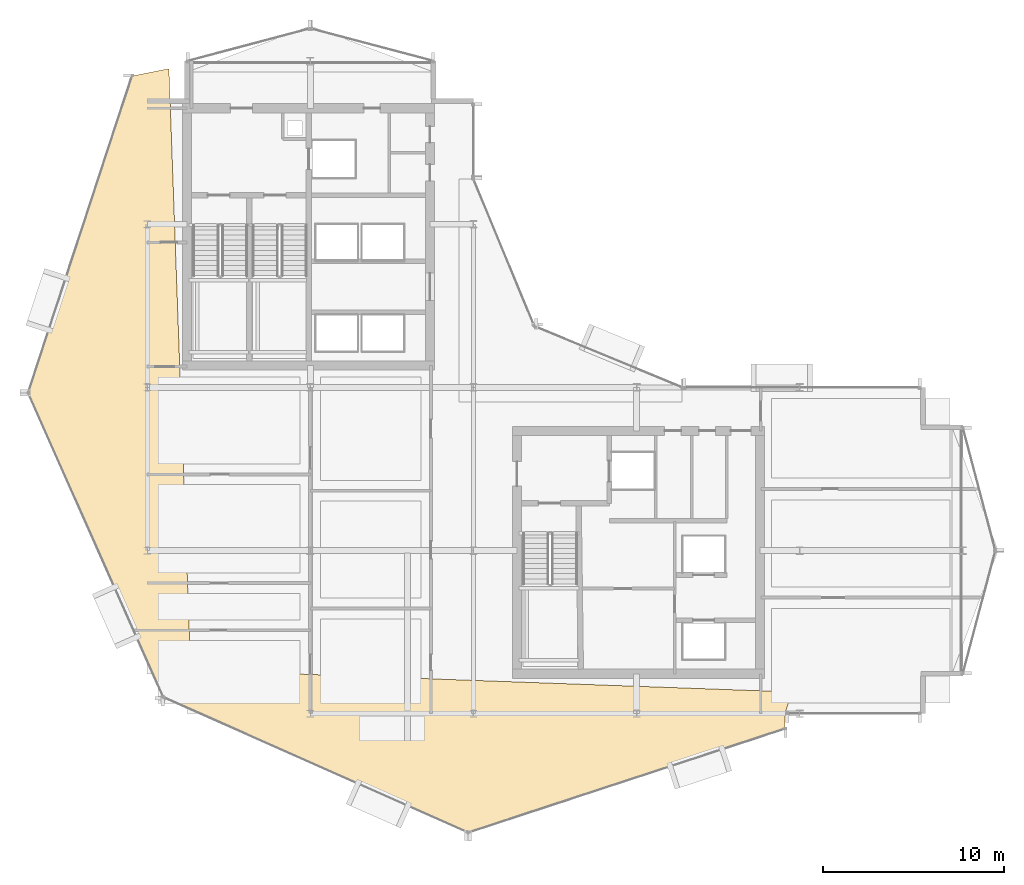
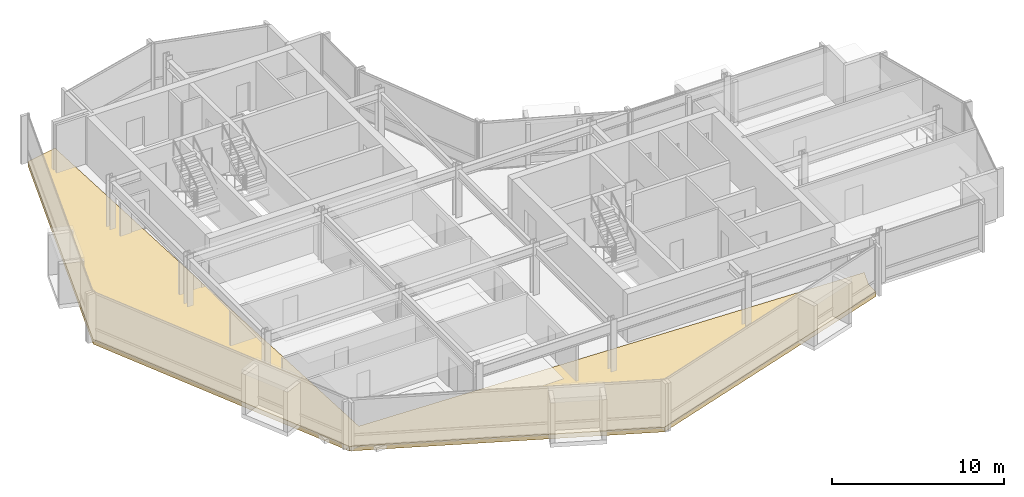
# One storey, part 24 of 27: 1 covering.
"""IFC4 building model written with IfcOpenShell, lengths in metres."""

from ifc_helpers import new_model, si_unit, direction, frame, origin, place, context, subcontext, project, spatial, polyline, outline, extrude, material, layer, layer_set, type_object, element, save


model = new_model("IFC4")

# Units and contexts
model_context = context("Model", 3, precision=1e-05, world=origin(), true_north=direction((0.0, 1.0)))
body_context = subcontext(model_context, "Body", "Model", "MODEL_VIEW")
ifc_project = project(units=[si_unit("LENGTHUNIT", "METRE"), si_unit("AREAUNIT", "SQUARE_METRE"), si_unit("VOLUMEUNIT", "CUBIC_METRE"), si_unit("PLANEANGLEUNIT", "RADIAN"), si_unit("MASSUNIT", "GRAM", prefix="KILO")], contexts=[model_context])

# Site, building, storey
site_placement = place(None, origin())
site = spatial("IfcSite", under=ifc_project, at=site_placement, CompositionType="ELEMENT")
building_placement = place(site_placement, origin())
building = spatial("IfcBuilding", under=site, at=building_placement, Name="Solvaryn Broadcast Tower", CompositionType="ELEMENT")
storey_placement = place(building_placement, frame((0.0, 0.0, 174.199951171875)))
storey = spatial("IfcBuildingStorey", under=building, at=storey_placement, Name="L43", CompositionType="ELEMENT", Elevation=174.199951171875)

# Covering
ifc_material = material(Name="Sculpted Architectural Terracotta Wave Fascia", Category="masonry")
ifc_layer = layer(ifc_material, 0.340087890625)
ifc_layer_set = layer_set([ifc_layer], Name="CV-WAVE-TRAY")
covering_type = type_object("IfcCoveringType", Name="CV-WAVE-TRAY", PredefinedType="CLADDING", material=ifc_layer_set)
covering_placement = place(storey_placement, frame((0.0, 0.0, -0.300048828125)))
element("IfcCovering", 1, at=covering_placement, inside=storey, type_object=covering_type, Name="L43 Stepped Cylindrical Drum Floor Apron", PredefinedType="CLADDING", context=body_context, shape_type="SweptSolid", body=[
    extrude(outline(polyline([(10.199951171875, 44.58203125), (8.1630859375, 44.181884765625), (2.43310546875, 26.7060546875), (9.89794921875, 9.89794921875), (26.7060546875, 2.43310546875), (44.181884765625, 8.1630859375), (44.181884765625, 9.0), (44.58203125, 10.199951171875), (11.39990234375, 11.39990234375), (10.199951171875, 44.58203125)])), origin(), (0.0, 0.0, 1.0), 0.330078125),
])

save(model, "model.ifc")
